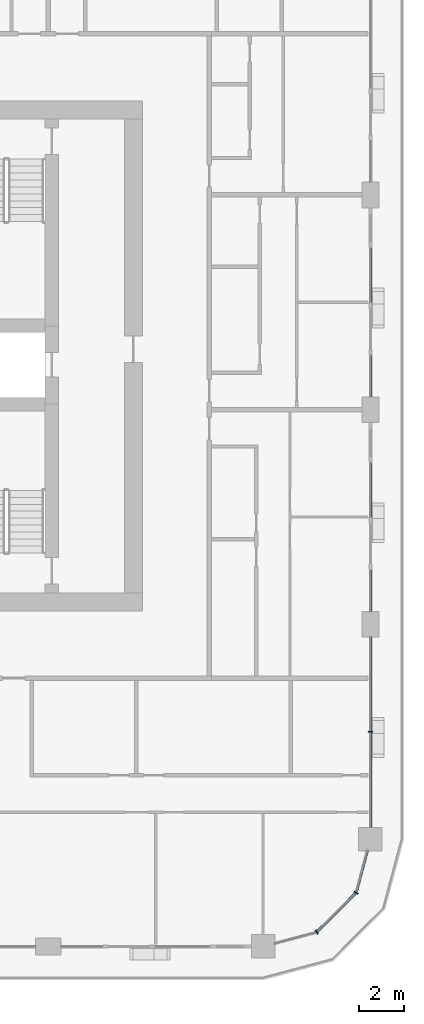
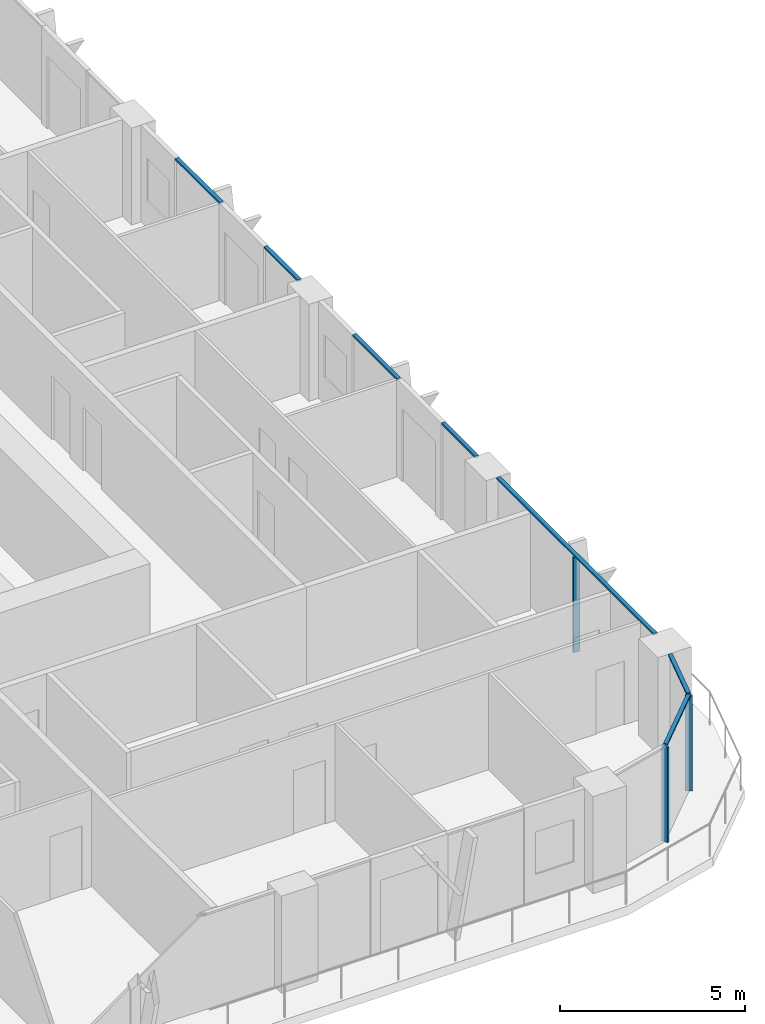
# One storey, part 4 of 22: 10 members, 4 elements without a shape of their own.
"""IFC4 building model written with IfcOpenShell, lengths in metres."""

import ifcopenshell
import ifcopenshell.guid

model = None  # the IFC model being written
_history = None  # IfcOwnerHistory: only IFC2X3 demands one
_inside = {}  # id of a spatial element -> (the spatial element, [elements in it])
_under = {}  # id of a project, library or spatial element -> (it, [spatial elements below it])
_declared = {}  # id of a project -> (the project, [libraries it declares])
_typed = {}  # id of a type object -> (the type object, [elements of that type])
_made_of = {}  # id of a material, layer set ... -> (it, [elements and type objects made of it])


def new_model(schema):
    """Start an empty IFC model of exactly this schema.

    Asked for "IFC4X3", IfcOpenShell would pick the latest addendum, in which some entities
    have other attributes; the version numbers below select the first issue.
    IFC2X3 requires an IfcOwnerHistory on every rooted entity: one is made here for all.
    """
    global model, _history
    if schema == "IFC4X3":
        model = ifcopenshell.file(schema_version=(4, 3, 0, 0))
    else:
        model = ifcopenshell.file(schema=schema)
    _inside.clear()
    _under.clear()
    _declared.clear()
    _typed.clear()
    _made_of.clear()
    _history = None
    if model.schema == "IFC2X3":
        org = make("IfcOrganization", Name="unknown")
        user = make(
            "IfcPersonAndOrganization",
            ThePerson=make("IfcPerson", FamilyName="unknown"),
            TheOrganization=org,
        )
        app = make(
            "IfcApplication",
            ApplicationDeveloper=org,
            Version="unknown",
            ApplicationFullName="unknown",
            ApplicationIdentifier="unknown",
        )
        _history = make(
            "IfcOwnerHistory",
            OwningUser=user,
            OwningApplication=app,
            ChangeAction="ADDED",
            CreationDate=0,
        )
    return model


def make(cls, **values):
    """One entity of the class cls with the attributes given. An attribute that is None is left unset."""
    return model.create_entity(
        cls, **{name: value for name, value in values.items() if value is not None}
    )


def rooted(cls, **values):
    """An entity with a GlobalId (a new one), such as an element, a storey or a relation."""
    return make(cls, GlobalId=ifcopenshell.guid.new(), OwnerHistory=_history, **values)


def si_unit(unit_type, name, prefix=None):
    """IfcSIUnit, for example si_unit("LENGTHUNIT", "METRE", prefix="MILLI")."""
    return make("IfcSIUnit", UnitType=unit_type, Prefix=prefix, Name=name)


def assignment(units):
    """IfcUnitAssignment: the units of a project."""
    return None if units is None else make("IfcUnitAssignment", Units=units)


def point(xyz):
    """IfcCartesianPoint."""
    return None if xyz is None else make("IfcCartesianPoint", Coordinates=xyz)


def direction(xyz):
    """IfcDirection."""
    return None if xyz is None else make("IfcDirection", DirectionRatios=xyz)


def frame(location, z_axis=None, x_axis=None):
    """IfcAxis2Placement3D, a coordinate frame: its origin and axes. An axis left out is left unset."""
    return make(
        "IfcAxis2Placement3D",
        Location=point(location),
        Axis=direction(z_axis),
        RefDirection=direction(x_axis),
    )


def frame_2d(location, x_axis=None):
    """IfcAxis2Placement2D, a coordinate frame in the plane: its origin and x axis."""
    return make(
        "IfcAxis2Placement2D", Location=point(location), RefDirection=direction(x_axis)
    )


def origin():
    """The frame at (0, 0, 0) with its axes left unset."""
    return frame((0.0, 0.0, 0.0))


def origin_2d():
    """The frame at (0, 0) in the plane with its x axis left unset."""
    return frame_2d((0.0, 0.0))


def place(relative_to, where):
    """IfcLocalPlacement: puts the frame where relative to a parent placement (None: the world)."""
    return make(
        "IfcLocalPlacement", PlacementRelTo=relative_to, RelativePlacement=where
    )


def context(
    kind, dimensions, precision=None, world=None, true_north=None, identifier=None
):
    """IfcGeometricRepresentationContext, for example the 3D "Model" context."""
    return make(
        "IfcGeometricRepresentationContext",
        ContextIdentifier=identifier,
        ContextType=kind,
        CoordinateSpaceDimension=dimensions,
        Precision=precision,
        WorldCoordinateSystem=world,
        TrueNorth=true_north,
    )


def subcontext(parent, identifier, kind, view, scale=None):
    """IfcGeometricRepresentationSubContext, for example "Body" below "Model"."""
    return make(
        "IfcGeometricRepresentationSubContext",
        ContextIdentifier=identifier,
        ContextType=kind,
        ParentContext=parent,
        TargetScale=scale,
        TargetView=view,
    )


def project(units=None, contexts=None):
    """IfcProject with its units and contexts."""
    return rooted(
        "IfcProject",
        Name="project",
        RepresentationContexts=contexts,
        UnitsInContext=assignment(units),
    )


def spatial(cls, under=None, at=None, **own):
    """A site, building, storey or space (cls), placed at a placement, below another one or the project."""
    s = rooted(cls, ObjectPlacement=at, **own)
    if under is not None:
        _under.setdefault(under.id(), (under, []))[1].append(s)
    return s


def profile(cls, at=None, kind="AREA", **sizes):
    """A parametric profile (cls). Its sizes go by their IFC names, for example OverallWidth=200.0."""
    return make(cls, ProfileType=kind, Position=at, **sizes)


def rectangle(**sizes):
    """IfcRectangleProfileDef."""
    return profile("IfcRectangleProfileDef", **sizes)


def extrude(swept, where, along, depth):
    """IfcExtrudedAreaSolid: the profile swept, set in the frame where, extruded along a direction by depth."""
    return make(
        "IfcExtrudedAreaSolid",
        SweptArea=swept,
        Position=where,
        ExtrudedDirection=direction(along),
        Depth=depth,
    )


def shape(context_of_items, identifier, shape_type, items):
    """IfcShapeRepresentation: the items that make up one representation, for example the "Body"."""
    return make(
        "IfcShapeRepresentation",
        ContextOfItems=context_of_items,
        RepresentationIdentifier=identifier,
        RepresentationType=shape_type,
        Items=items,
    )


def material(Name=None, Category=None):
    """IfcMaterial."""
    return make("IfcMaterial", Name=Name, Category=Category)


def layer(
    of_material, thickness, ventilated=None, Name=None, Category=None, Priority=None
):
    """IfcMaterialLayer: one layer of a wall or slab, of a material (None: an air gap)."""
    return make(
        "IfcMaterialLayer",
        Material=of_material,
        LayerThickness=thickness,
        IsVentilated=ventilated,
        Name=Name,
        Category=Category,
        Priority=Priority,
    )


def layer_set(layers, Name=None):
    """IfcMaterialLayerSet."""
    return make("IfcMaterialLayerSet", MaterialLayers=layers, LayerSetName=Name)


def material_profile(
    of_material, cross_section, Name=None, Category=None, Priority=None
):
    """IfcMaterialProfile: a cross section and its material."""
    return make(
        "IfcMaterialProfile",
        Name=Name,
        Material=of_material,
        Profile=cross_section,
        Priority=Priority,
        Category=Category,
    )


def profile_set(profiles, Name=None, composite=None):
    """IfcMaterialProfileSet."""
    return make(
        "IfcMaterialProfileSet",
        Name=Name,
        MaterialProfiles=profiles,
        CompositeProfile=composite,
    )


def made_of(thing, what):
    """Note that an element or type object is made of a material, layer set ...; save() writes the relation."""
    if what is not None:
        _made_of.setdefault(what.id(), (what, []))[1].append(thing)
    return thing


def type_object(cls, material=None, **own):
    """A type object (cls), such as IfcWallType, which elements share."""
    return made_of(rooted(cls, **own), material)


def element(
    cls,
    number,
    at=None,
    inside=None,
    cuts=None,
    type_object=None,
    material=None,
    context=None,
    identifier="Body",
    shape_type=None,
    held_by="IfcProductDefinitionShape",
    body=None,
    shapes=None,
    **own,
):
    """One element of the class cls, such as IfcWall. Its Tag is "e" and its number.

    at: its placement. inside: the storey or other place that contains it. cuts: it is an
    opening in that element (IfcRelVoidsElement). A single representation is given by context,
    identifier, shape_type and body (its items); several are given by shapes. held_by: the class
    of the entity that holds the representations. save() writes the other relations.
    """
    e = rooted(cls, Tag="e%d" % number, ObjectPlacement=at, **own)
    if body is not None:
        shapes = [shape(context, identifier, shape_type, body)]
    if shapes is not None:
        e.Representation = make(held_by, Representations=shapes)
    if inside is not None:
        _inside.setdefault(inside.id(), (inside, []))[1].append(e)
    if cuts is not None:
        rooted(
            "IfcRelVoidsElement", RelatingBuildingElement=cuts, RelatedOpeningElement=e
        )
    if type_object is not None:
        _typed.setdefault(type_object.id(), (type_object, []))[1].append(e)
    return made_of(e, material)


def aggregate(whole, parts):
    """IfcRelAggregates: a whole, such as a stair, and the parts it consists of."""
    return rooted("IfcRelAggregates", RelatingObject=whole, RelatedObjects=parts)


def save(model, path):
    """Write the relations noted so far, then the file.

    IfcRelAggregates (storeys below a building ...), IfcRelContainedInSpatialStructure (elements
    in a storey), IfcRelDefinesByType, IfcRelAssociatesMaterial and IfcRelDeclares: one each for
    every whole, place, type object, material and project.
    """
    for whole, parts in _under.values():
        aggregate(whole, parts)
    for where, things in _inside.values():
        rooted(
            "IfcRelContainedInSpatialStructure",
            RelatedElements=things,
            RelatingStructure=where,
        )
    for kind, things in _typed.values():
        rooted("IfcRelDefinesByType", RelatedObjects=things, RelatingType=kind)
    for what, things in _made_of.values():
        rooted("IfcRelAssociatesMaterial", RelatedObjects=things, RelatingMaterial=what)
    for by, libraries in _declared.values():
        rooted("IfcRelDeclares", RelatingContext=by, RelatedDefinitions=libraries)
    model.write(path)


model = new_model("IFC4")

# Units and contexts
model_context = context("Model", 3, precision=1e-05, world=origin(), true_north=direction((0.0, 1.0)))
body_context = subcontext(model_context, "Body", "Model", "MODEL_VIEW")
ifc_project = project(units=[si_unit("LENGTHUNIT", "METRE"), si_unit("AREAUNIT", "SQUARE_METRE"), si_unit("VOLUMEUNIT", "CUBIC_METRE"), si_unit("PLANEANGLEUNIT", "RADIAN"), si_unit("MASSUNIT", "GRAM", prefix="KILO")], contexts=[model_context])

# Site, building, storey
site_placement = place(None, origin())
site = spatial("IfcSite", under=ifc_project, at=site_placement, CompositionType="ELEMENT")
building_placement = place(site_placement, origin())
building = spatial("IfcBuilding", under=site, at=building_placement, Name="Madar Terraces", CompositionType="ELEMENT")
storey_placement = place(building_placement, frame((0.0, 0.0, 156.0)))
storey = spatial("IfcBuildingStorey", under=building, at=storey_placement, Name="L40", CompositionType="ELEMENT", Elevation=156.0)

# Curtain wall, member
ifc_material_1 = material(Name="Glass, ceramic frit dark grey, with black aluminium frame", Category="aluminium")
ifc_layer = layer(ifc_material_1, 0.199951171875)
ifc_layer_set = layer_set([ifc_layer], Name="Facade curtain wall, fritted glass")
curtain_wall_type = type_object("IfcCurtainWallType", Name="Facade curtain wall, fritted glass", PredefinedType="NOTDEFINED", material=ifc_layer_set)
curtain_wall_1_placement = place(storey_placement, origin())
curtain_wall_1 = element("IfcCurtainWall", 1, at=curtain_wall_1_placement, inside=storey, type_object=curtain_wall_type, Name="Outer skin curtain wall east bay 1", PredefinedType="NOTDEFINED")
ifc_material_2 = material(Name="Aluminium, black anodised", Category="aluminium")
ifc_material_profile_1 = material_profile(ifc_material_2, rectangle(XDim=0.199951171875, YDim=0.06005859375, at=origin_2d()), Name="Facade mullion 60x200")
ifc_profile_set_1 = profile_set([ifc_material_profile_1], Name="Aluminium, black anodised")
member_type_1 = type_object("IfcMemberType", Name="Facade mullion 60x200", PredefinedType="MULLION", material=ifc_profile_set_1)
member_1_placement = place(storey_placement, frame((57.60009765625, 9.60009765625, 0.0), z_axis=(0.0, 0.0, 1.0), x_axis=(-1.0, 0.0, 0.0)))
member_1 = element("IfcMember", 2, at=member_1_placement, type_object=member_type_1, Name="Mullion 1", PredefinedType="MULLION", context=body_context, shape_type="SweptSolid", body=[
    extrude(rectangle(XDim=0.199951171875, YDim=0.06005859375, at=origin_2d()), origin(), (0.0, 0.0, 1.0), 3.139892578125),
])

# Curtain wall, members
curtain_wall_2_placement = place(storey_placement, origin())
curtain_wall_2 = element("IfcCurtainWall", 3, at=curtain_wall_2_placement, inside=storey, type_object=curtain_wall_type, Name="Outer skin curtain wall south-east corner", PredefinedType="NOTDEFINED")
member_2_placement = place(storey_placement, frame((55.199951171875, 0.64306640625, 0.0), z_axis=(0.0, 0.0, 1.0), x_axis=(-0.499999989586, 0.866025409797, 0.0)))
member_2 = element("IfcMember", 4, at=member_2_placement, type_object=member_type_1, Name="Mullion 1", PredefinedType="MULLION", context=body_context, shape_type="SweptSolid", body=[
    extrude(rectangle(XDim=0.199951171875, YDim=0.06005859375, at=origin_2d()), origin(), (0.0, 0.0, 1.0), 3.139892578125),
])
member_3_placement = place(storey_placement, frame((56.95703125, 2.39990234375, 0.0), z_axis=(0.0, 0.0, 1.0), x_axis=(-0.866025409797, 0.499999989586, 0.0)))
member_3 = element("IfcMember", 5, at=member_3_placement, type_object=member_type_1, Name="Mullion 2", PredefinedType="MULLION", context=body_context, shape_type="SweptSolid", body=[
    extrude(rectangle(XDim=0.199951171875, YDim=0.06005859375, at=origin_2d()), origin(), (0.0, 0.0, 1.0), 3.139892578125),
])

# Member
ifc_material_3 = material(Name="Aluminium, black anodised", Category="aluminium")
ifc_material_profile_2 = material_profile(ifc_material_3, rectangle(XDim=0.1201171875, YDim=0.06005859375, at=origin_2d()), Name="Facade transom 60x120")
ifc_profile_set_2 = profile_set([ifc_material_profile_2], Name="Aluminium, black anodised")
member_type_2 = type_object("IfcMemberType", Name="Facade transom 60x120", PredefinedType="USERDEFINED", material=ifc_profile_set_2)
member_4_placement = place(storey_placement, frame((57.60009765625, 5.324951171875, 3.169921875), z_axis=(0.0, 1.0, 0.0), x_axis=(-1.0, 0.0, 0.0)))
member_4 = element("IfcMember", 6, at=member_4_placement, type_object=member_type_2, Name="Transom 1", ObjectType="TRANSOM", PredefinedType="USERDEFINED", context=body_context, shape_type="SweptSolid", body=[
    extrude(rectangle(XDim=0.1201171875, YDim=0.06005859375, at=origin_2d()), origin(), (0.0, 0.0, 1.0), 8.5),
])

aggregate(curtain_wall_1, [member_1, member_4])

# Curtain wall, members
curtain_wall_3_placement = place(storey_placement, origin())
curtain_wall_3 = element("IfcCurtainWall", 7, at=curtain_wall_3_placement, inside=storey, type_object=curtain_wall_type, Name="Outer skin curtain wall east bay 2", PredefinedType="NOTDEFINED")
member_5_placement = place(storey_placement, frame((57.60009765625, 14.97509765625, 3.169921875), z_axis=(0.0, 1.0, 0.0), x_axis=(-1.0, 0.0, 0.0)))
member_5 = element("IfcMember", 8, at=member_5_placement, type_object=member_type_2, Name="Transom 1", ObjectType="TRANSOM", PredefinedType="USERDEFINED", context=body_context, shape_type="SweptSolid", body=[
    extrude(rectangle(XDim=0.1201171875, YDim=0.06005859375, at=origin_2d()), origin(), (0.0, 0.0, 1.0), 1.824951171875),
])
member_6_placement = place(storey_placement, frame((57.60009765625, 19.199951171875, 3.169921875), z_axis=(0.0, 1.0, 0.0), x_axis=(-1.0, 0.0, 0.0)))
member_6 = element("IfcMember", 9, at=member_6_placement, type_object=member_type_2, Name="Transom 2", ObjectType="TRANSOM", PredefinedType="USERDEFINED", context=body_context, shape_type="SweptSolid", body=[
    extrude(rectangle(XDim=0.1201171875, YDim=0.06005859375, at=origin_2d()), origin(), (0.0, 0.0, 1.0), 2.400146484375),
])
aggregate(curtain_wall_3, [member_5, member_6])

curtain_wall_4_placement = place(storey_placement, origin())
curtain_wall_4 = element("IfcCurtainWall", 10, at=curtain_wall_4_placement, inside=storey, type_object=curtain_wall_type, Name="Outer skin curtain wall east bay 3", PredefinedType="NOTDEFINED")
member_7_placement = place(storey_placement, frame((57.60009765625, 24.574951171875, 3.169921875), z_axis=(0.0, 1.0, 0.0), x_axis=(-1.0, 0.0, 0.0)))
member_7 = element("IfcMember", 11, at=member_7_placement, type_object=member_type_2, Name="Transom 1", ObjectType="TRANSOM", PredefinedType="USERDEFINED", context=body_context, shape_type="SweptSolid", body=[
    extrude(rectangle(XDim=0.1201171875, YDim=0.06005859375, at=origin_2d()), origin(), (0.0, 0.0, 1.0), 1.824951171875),
])
member_8_placement = place(storey_placement, frame((57.60009765625, 28.800048828125, 3.169921875), z_axis=(0.0, 1.0, 0.0), x_axis=(-1.0, 0.0, 0.0)))
member_8 = element("IfcMember", 12, at=member_8_placement, type_object=member_type_2, Name="Transom 2", ObjectType="TRANSOM", PredefinedType="USERDEFINED", context=body_context, shape_type="SweptSolid", body=[
    extrude(rectangle(XDim=0.1201171875, YDim=0.06005859375, at=origin_2d()), origin(), (0.0, 0.0, 1.0), 2.39990234375),
])
aggregate(curtain_wall_4, [member_7, member_8])

# Member
member_9_placement = place(storey_placement, frame((55.22119140625, 0.664306640625, 3.169921875), z_axis=(0.707106781187, 0.707106781187, 0.0), x_axis=(-0.707106781187, 0.707106781187, 0.0)))
member_9 = element("IfcMember", 13, at=member_9_placement, type_object=member_type_2, Name="Transom 2", ObjectType="TRANSOM", PredefinedType="USERDEFINED", context=body_context, shape_type="SweptSolid", body=[
    extrude(rectangle(XDim=0.1201171875, YDim=0.06005859375, at=origin_2d()), origin(), (0.0, 0.0, 1.0), 2.4248046875),
])

member_10_placement = place(storey_placement, frame((56.964599609375, 2.428955078125, 3.169921875), z_axis=(0.258823354654, 0.965924671538, 0.0), x_axis=(-0.965924671538, 0.258823354654, 0.0)))
member_10 = element("IfcMember", 14, at=member_10_placement, type_object=member_type_2, Name="Transom 3", ObjectType="TRANSOM", PredefinedType="USERDEFINED", context=body_context, shape_type="SweptSolid", body=[
    extrude(rectangle(XDim=0.1201171875, YDim=0.06005859375, at=origin_2d()), origin(), (0.0, 0.0, 1.0), 1.9111328125),
])

aggregate(curtain_wall_2, [member_2, member_3, member_9, member_10])

save(model, "model.ifc")
